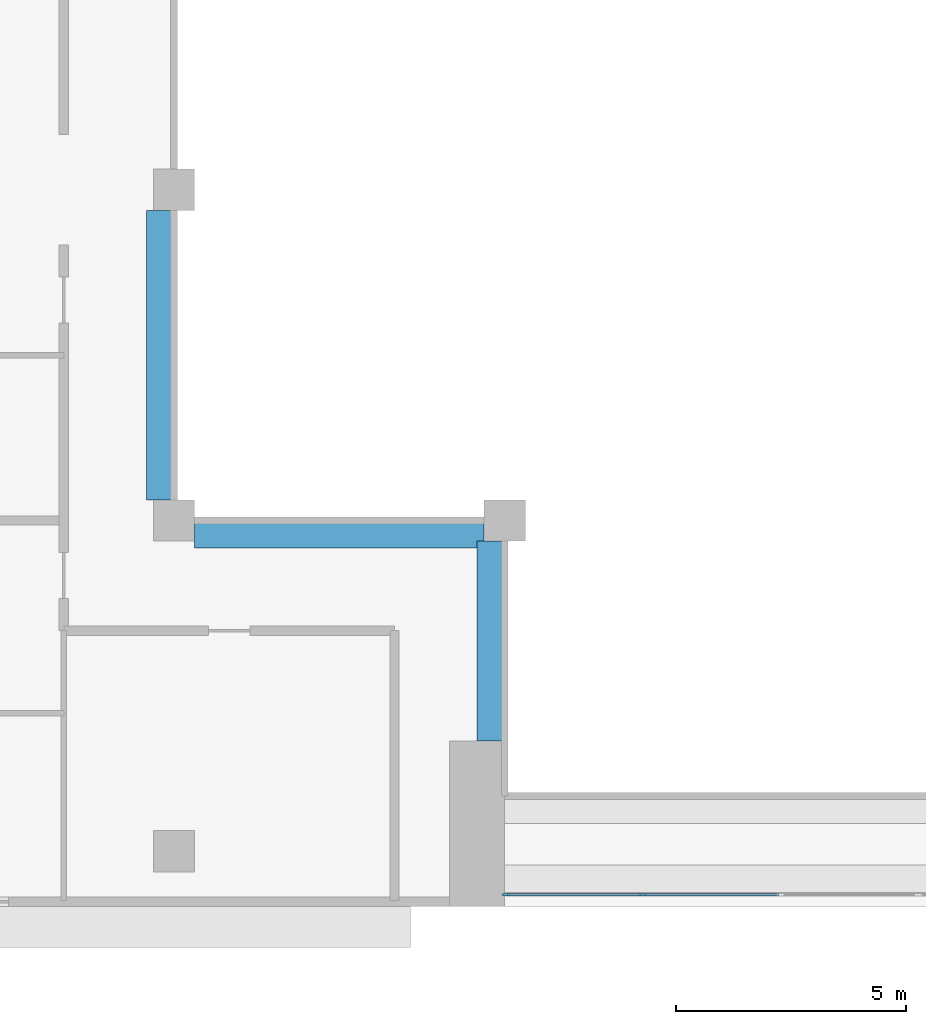
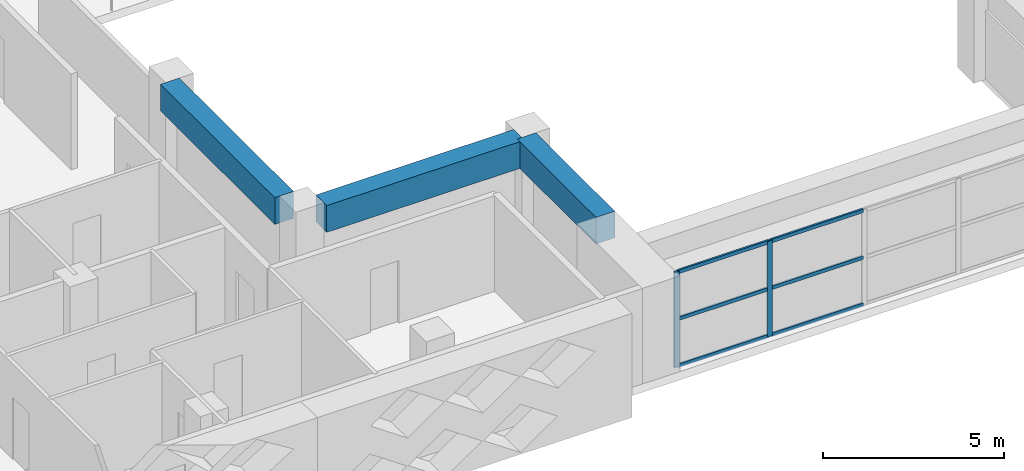
# One storey, part 2 of 19: 8 members, 3 beams, 1 element without a shape of its own.
"""IFC4 building model written with IfcOpenShell, lengths in metres."""

from ifc_helpers import new_model, si_unit, direction, frame, origin, origin_2d, place, context, subcontext, project, spatial, rectangle, extrude, source, transform, mapped, material, layer, layer_set, material_profile, profile_set, type_object, element, aggregate, save


model = new_model("IFC4")

# Units and contexts
model_context = context("Model", 3, precision=1e-05, world=origin(), true_north=direction((0.0, 1.0)))
body_context = subcontext(model_context, "Body", "Model", "MODEL_VIEW")
ifc_project = project(units=[si_unit("LENGTHUNIT", "METRE"), si_unit("AREAUNIT", "SQUARE_METRE"), si_unit("VOLUMEUNIT", "CUBIC_METRE"), si_unit("PLANEANGLEUNIT", "RADIAN"), si_unit("MASSUNIT", "GRAM", prefix="KILO")], contexts=[model_context])

# Site, building, storey
site_placement = place(None, origin())
site = spatial("IfcSite", under=ifc_project, at=site_placement, CompositionType="ELEMENT")
building_placement = place(site_placement, origin())
building = spatial("IfcBuilding", under=site, at=building_placement, Name="Saffron Iwan Residences", CompositionType="ELEMENT")
storey_placement = place(building_placement, frame((0.0, 0.0, 211.5)))
storey = spatial("IfcBuildingStorey", under=building, at=storey_placement, Name="L56", CompositionType="ELEMENT", Elevation=211.5)

# Beams
ifc_material_1 = material(Name="Concrete C40/50", Category="concrete")
ifc_material_profile_1 = material_profile(ifc_material_1, rectangle(XDim=0.60009765625, YDim=0.89990234375, at=origin_2d()), Name="RC 600x900")
ifc_profile_set_1 = profile_set([ifc_material_profile_1], Name="Concrete C40/50")
beam_type = type_object("IfcBeamType", Name="BEAM RC 600x900 C40/50 TOP 3220", PredefinedType="BEAM", material=ifc_profile_set_1)
shared_shape_1 = source(origin(), body_context, "Body", "SweptSolid", [
    extrude(rectangle(XDim=0.60009765625, YDim=0.89990234375, at=origin_2d()), origin(), (0.0, 0.0, 1.0), 4.35009765625),
])
beam_placement = place(storey_placement, frame((42.89990234375, 43.199951171875, 2.77001953125), z_axis=(0.0, 1.0, 0.0), x_axis=(-1.0, 0.0, 0.0)))
element("IfcBeam", 1, at=beam_placement, inside=storey, type_object=beam_type, Name="Atrium edge beam", PredefinedType="BEAM", context=body_context, shape_type="MappedRepresentation", body=[
    mapped(shared_shape_1, transform((0.0, 0.0, 0.0))),
])
shared_shape_2 = source(origin(), body_context, "Body", "SweptSolid", [
    extrude(rectangle(XDim=0.60009765625, YDim=0.89990234375, at=origin_2d()), origin(), (0.0, 0.0, 1.0), 6.300048828125),
])
for number, where, z_axis, x_axis, name in (
    (2, (42.75, 47.699951171875, 2.77001953125), (-1.0, 0.0, 0.0), (0.0, -1.0, 0.0), "Atrium edge beam"),
    (3, (35.699951171875, 48.449951171875, 2.77001953125), (0.0, 1.0, 0.0), (-1.0, 0.0, 0.0), "Atrium edge beam"),
):
    element("IfcBeam", number, at=place(storey_placement, frame(where, z_axis=z_axis, x_axis=x_axis)), inside=storey, type_object=beam_type, Name=name, PredefinedType="BEAM", context=body_context, shape_type="MappedRepresentation", body=[
        mapped(shared_shape_2, transform((0.0, 0.0, 0.0))),
    ])

# Curtain wall, members
ifc_material_2 = material(Name="Clear glass, laminated double glazed", Category="glass")
ifc_layer = layer(ifc_material_2, 0.199951171875)
ifc_layer_set = layer_set([ifc_layer], Name="Clear glass, laminated double glazed")
curtain_wall_type = type_object("IfcCurtainWallType", Name="CW-B IWAN PORTAL", PredefinedType="NOTDEFINED", material=ifc_layer_set)
curtain_wall_placement = place(storey_placement, origin())
curtain_wall = element("IfcCurtainWall", 4, at=curtain_wall_placement, inside=storey, type_object=curtain_wall_type, Name="Iwan portal glazing L56.1", PredefinedType="NOTDEFINED")
ifc_material_3 = material(Name="Aluminium 6063-T6", Category="aluminium")
ifc_material_profile_2 = material_profile(ifc_material_3, rectangle(XDim=0.06005859375, YDim=0.1201171875, at=origin_2d()), Name="CW-B TRANSOM 60 x 120")
ifc_profile_set_2 = profile_set([ifc_material_profile_2], Name="Aluminium 6063-T6")
member_type_1 = type_object("IfcMemberType", Name="CW-B TRANSOM 60 x 120", PredefinedType="USERDEFINED", material=ifc_profile_set_2)
shared_shape_3 = source(origin(), body_context, "Body", "SweptSolid", [
    extrude(rectangle(XDim=0.06005859375, YDim=0.1201171875, at=origin_2d()), origin(), (0.0, 0.0, 1.0), 2.909912109375),
])
member_1_placement = place(storey_placement, frame((43.260009765625, 39.85009765625, 0.030029296875), z_axis=(1.0, 0.0, 0.0), x_axis=(0.0, 1.0, 0.0)))
member_1 = element("IfcMember", 5, at=member_1_placement, type_object=member_type_1, Name="CW-B transom 1.1", ObjectType="TRANSOM", PredefinedType="USERDEFINED", context=body_context, shape_type="MappedRepresentation", body=[
    mapped(shared_shape_3, transform((0.0, 0.0, 0.0))),
])
member_2_placement = place(storey_placement, frame((43.260009765625, 39.85009765625, 1.610107421875), z_axis=(1.0, 0.0, 0.0), x_axis=(0.0, 1.0, 0.0)))
member_2 = element("IfcMember", 6, at=member_2_placement, type_object=member_type_1, Name="CW-B transom 1.2", ObjectType="TRANSOM", PredefinedType="USERDEFINED", context=body_context, shape_type="MappedRepresentation", body=[
    mapped(shared_shape_3, transform((0.0, 0.0, 0.0))),
])
member_3_placement = place(storey_placement, frame((43.260009765625, 39.85009765625, 3.18994140625), z_axis=(1.0, 0.0, 0.0), x_axis=(0.0, 1.0, 0.0)))
member_3 = element("IfcMember", 7, at=member_3_placement, type_object=member_type_1, Name="CW-B transom 1.3", ObjectType="TRANSOM", PredefinedType="USERDEFINED", context=body_context, shape_type="MappedRepresentation", body=[
    mapped(shared_shape_3, transform((0.0, 0.0, 0.0))),
])
shared_shape_4 = source(origin(), body_context, "Body", "SweptSolid", [
    extrude(rectangle(XDim=0.06005859375, YDim=0.1201171875, at=origin_2d()), origin(), (0.0, 0.0, 1.0), 2.93994140625),
])
member_4_placement = place(storey_placement, frame((46.22998046875, 39.85009765625, 0.030029296875), z_axis=(1.0, 0.0, 0.0), x_axis=(0.0, 1.0, 0.0)))
member_4 = element("IfcMember", 8, at=member_4_placement, type_object=member_type_1, Name="CW-B transom 2.1", ObjectType="TRANSOM", PredefinedType="USERDEFINED", context=body_context, shape_type="MappedRepresentation", body=[
    mapped(shared_shape_4, transform((0.0, 0.0, 0.0))),
])
member_5_placement = place(storey_placement, frame((46.22998046875, 39.85009765625, 1.610107421875), z_axis=(1.0, 0.0, 0.0), x_axis=(0.0, 1.0, 0.0)))
member_5 = element("IfcMember", 9, at=member_5_placement, type_object=member_type_1, Name="CW-B transom 2.2", ObjectType="TRANSOM", PredefinedType="USERDEFINED", context=body_context, shape_type="MappedRepresentation", body=[
    mapped(shared_shape_4, transform((0.0, 0.0, 0.0))),
])
member_6_placement = place(storey_placement, frame((46.22998046875, 39.85009765625, 3.18994140625), z_axis=(1.0, 0.0, 0.0), x_axis=(0.0, 1.0, 0.0)))
member_6 = element("IfcMember", 10, at=member_6_placement, type_object=member_type_1, Name="CW-B transom 2.3", ObjectType="TRANSOM", PredefinedType="USERDEFINED", context=body_context, shape_type="MappedRepresentation", body=[
    mapped(shared_shape_4, transform((0.0, 0.0, 0.0))),
])
ifc_material_profile_3 = material_profile(ifc_material_3, rectangle(XDim=0.06005859375, YDim=0.159912109375, at=origin_2d()), Name="CW-B MULLION 60 x 160")
ifc_profile_set_3 = profile_set([ifc_material_profile_3], Name="Aluminium 6063-T6")
member_type_2 = type_object("IfcMemberType", Name="CW-B MULLION 60 x 160", PredefinedType="MULLION", material=ifc_profile_set_3)
shared_shape_5 = source(origin(), body_context, "Body", "SweptSolid", [
    extrude(rectangle(XDim=0.06005859375, YDim=0.159912109375, at=origin_2d()), origin(), (0.0, 0.0, 1.0), 3.219970703125),
])
member_7_placement = place(storey_placement, frame((43.22998046875, 39.85009765625, 0.0), z_axis=(0.0, 0.0, 1.0), x_axis=(0.0, 1.0, 0.0)))
member_7 = element("IfcMember", 11, at=member_7_placement, type_object=member_type_2, Name="CW-B mullion 1", PredefinedType="MULLION", context=body_context, shape_type="MappedRepresentation", body=[
    mapped(shared_shape_5, transform((0.0, 0.0, 0.0))),
])
member_8_placement = place(storey_placement, frame((46.199951171875, 39.85009765625, 0.0), z_axis=(0.0, 0.0, 1.0), x_axis=(0.0, 1.0, 0.0)))
member_8 = element("IfcMember", 12, at=member_8_placement, type_object=member_type_2, Name="CW-B mullion 2", PredefinedType="MULLION", context=body_context, shape_type="MappedRepresentation", body=[
    mapped(shared_shape_5, transform((0.0, 0.0, 0.0))),
])
aggregate(curtain_wall, [member_7, member_8, member_1, member_2, member_3, member_4, member_5, member_6])

save(model, "model.ifc")
